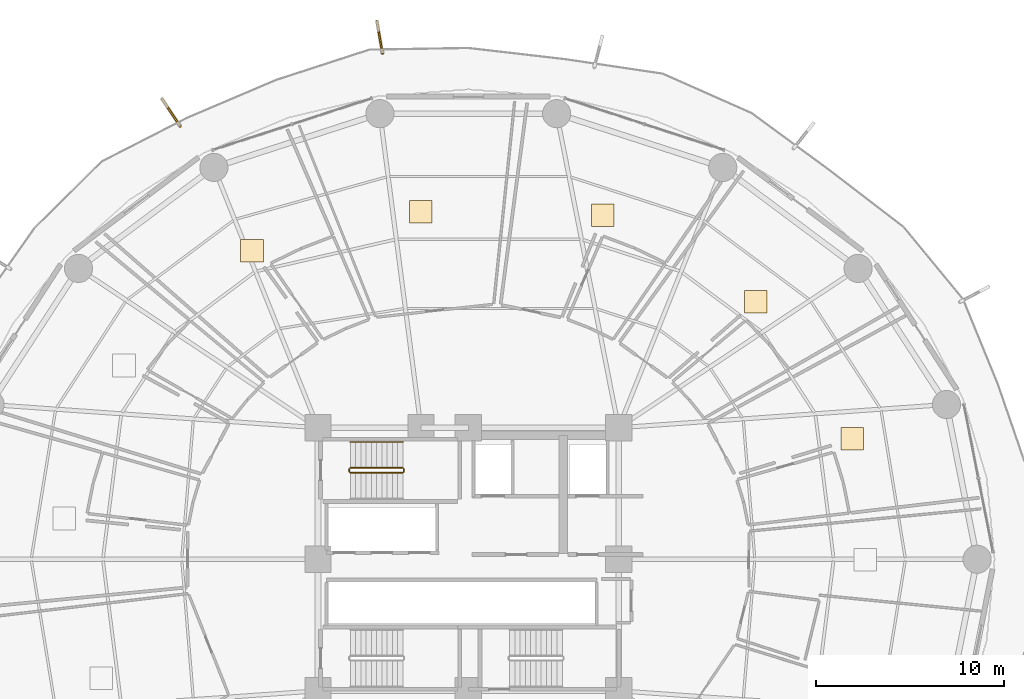
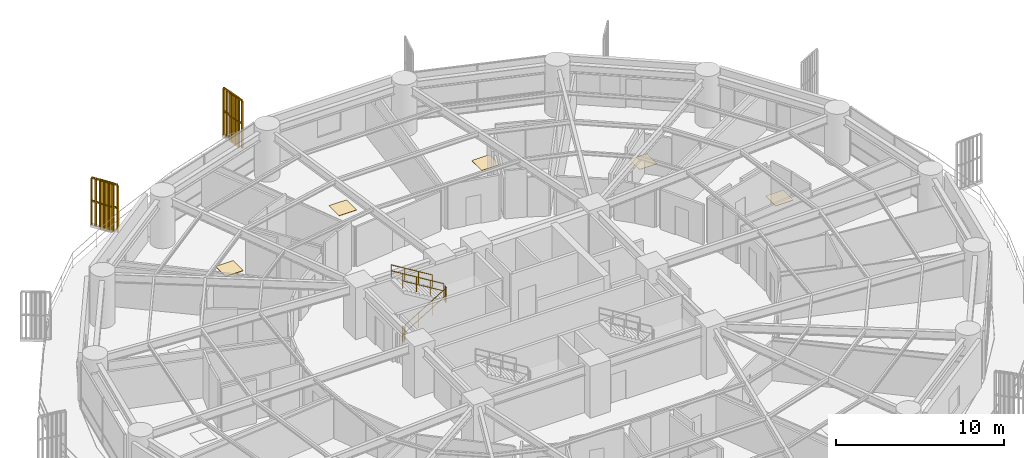
# One storey, part 31 of 32: 7 railings, 5 coverings, 2 shading devices.
"""IFC4 building model written with IfcOpenShell, lengths in metres."""

from ifc_helpers import new_model, si_unit, direction, frame, origin, origin_2d, place, context, subcontext, project, spatial, polyline, rectangle, outline, extrude, source, transform, mapped, material, layer, layer_set, type_object, element, save


model = new_model("IFC4")

# Units and contexts
model_context = context("Model", 3, precision=1e-05, world=origin(), true_north=direction((0.0, 1.0)))
body_context = subcontext(model_context, "Body", "Model", "MODEL_VIEW")
ifc_project = project(units=[si_unit("LENGTHUNIT", "METRE"), si_unit("AREAUNIT", "SQUARE_METRE"), si_unit("VOLUMEUNIT", "CUBIC_METRE"), si_unit("PLANEANGLEUNIT", "RADIAN"), si_unit("MASSUNIT", "GRAM", prefix="KILO")], contexts=[model_context])

# Site, building, storey
site_placement = place(None, origin())
site = spatial("IfcSite", under=ifc_project, at=site_placement, CompositionType="ELEMENT")
building_placement = place(site_placement, origin())
building = spatial("IfcBuilding", under=site, at=building_placement, Name="Kelanora Arch Commons", CompositionType="ELEMENT")
storey_placement = place(building_placement, frame((0.0, 0.0, 52.5)))
storey = spatial("IfcBuildingStorey", under=building, at=storey_placement, Name="L13", CompositionType="ELEMENT", Elevation=52.5)

# Railings
ifc_material_1 = material(Name="Anodised bronze vertical shading fin rib assembly")
railing_type_1 = type_object("IfcRailingType", Name="RAIL-FIN-BRZ", PredefinedType="BALUSTRADE", material=ifc_material_1)
railing_1_placement = place(storey_placement, frame((69.430908203125, 84.919189453125, -0.02001953125)))
element("IfcRailing", 1, at=railing_1_placement, inside=storey, type_object=railing_type_1, Name="Sweeping Bronze Vertical Fin Blade L13-03", PredefinedType="BALUSTRADE", context=body_context, shape_type="SweptSolid", body=[
    extrude(outline(polyline([(0.06982421875, 0.0), (0.034912109375, 0.060546875), (-0.034912109375, 0.060546875), (-0.06982421875, 0.0), (-0.034912109375, -0.060546875), (0.034912109375, -0.060546875), (0.06982421875, 0.0)])), frame((0.0, 0.0, 3.419921875), z_axis=(-0.167236114435, 0.985916873792, 0.0), x_axis=(-0.985916873792, -0.167236114435, 0.0)), (0.0, 0.0, 1.0), 1.72998046875),
    extrude(outline(polyline([(0.06982421875, 0.0), (0.034912109375, 0.060546875), (-0.034912109375, 0.060546875), (-0.06982421875, 0.0), (-0.034912109375, -0.060546875), (0.034912109375, -0.060546875), (0.06982421875, 0.0)])), frame((0.0, 0.0, 1.7451171875), z_axis=(-0.167236114435, 0.985916873792, 0.0), x_axis=(-0.985916873792, -0.167236114435, 0.0)), (0.0, 0.0, 1.0), 1.72998046875),
    extrude(outline(polyline([(0.080078125, 0.0), (0.0400390625, 0.0693359375), (-0.0400390625, 0.0693359375), (-0.080078125, 0.0), (-0.0400390625, -0.0693359375), (0.0400390625, -0.0693359375), (0.080078125, 0.0)])), origin(), (0.0, 0.0, 1.0), 3.35009765625),
    extrude(outline(polyline([(0.080078125, 0.0), (0.0400390625, 0.0693359375), (-0.0400390625, 0.0693359375), (-0.080078125, 0.0), (-0.0400390625, -0.0693359375), (0.0400390625, -0.0693359375), (0.080078125, 0.0)])), frame((-0.04833984375, 0.2841796875, 0.0)), (0.0, 0.0, 1.0), 3.35009765625),
    extrude(outline(polyline([(0.080078125, 0.0), (0.0400390625, 0.0693359375), (-0.0400390625, 0.0693359375), (-0.080078125, 0.0), (-0.0400390625, -0.0693359375), (0.0400390625, -0.0693359375), (0.080078125, 0.0)])), frame((-0.096435546875, 0.568603515625, 0.0)), (0.0, 0.0, 1.0), 3.35009765625),
    extrude(outline(polyline([(0.080078125, 0.0), (0.0400390625, 0.0693359375), (-0.0400390625, 0.0693359375), (-0.080078125, 0.0), (-0.0400390625, -0.0693359375), (0.0400390625, -0.0693359375), (0.080078125, 0.0)])), frame((-0.14453125, 0.852783203125, 0.0)), (0.0, 0.0, 1.0), 3.35009765625),
    extrude(outline(polyline([(0.080078125, 0.0), (0.0400390625, 0.0693359375), (-0.0400390625, 0.0693359375), (-0.080078125, 0.0), (-0.0400390625, -0.0693359375), (0.0400390625, -0.0693359375), (0.080078125, 0.0)])), frame((-0.19287109375, 1.136962890625, 0.0)), (0.0, 0.0, 1.0), 3.35009765625),
    extrude(outline(polyline([(0.080078125, 0.0), (0.0400390625, 0.0693359375), (-0.0400390625, 0.0693359375), (-0.080078125, 0.0), (-0.0400390625, -0.0693359375), (0.0400390625, -0.0693359375), (0.080078125, 0.0)])), frame((-0.2412109375, 1.42138671875, 0.0)), (0.0, 0.0, 1.0), 3.35009765625),
    extrude(outline(polyline([(0.080078125, 0.0), (0.0400390625, 0.0693359375), (-0.0400390625, 0.0693359375), (-0.080078125, 0.0), (-0.0400390625, -0.0693359375), (0.0400390625, -0.0693359375), (0.080078125, 0.0)])), frame((-0.289306640625, 1.70556640625, 0.0)), (0.0, 0.0, 1.0), 3.35009765625),
])
railing_2_placement = place(storey_placement, frame((58.66162109375, 81.057373046875, -0.02001953125)))
element("IfcRailing", 2, at=railing_2_placement, inside=storey, type_object=railing_type_1, Name="Sweeping Bronze Vertical Fin Blade L13-04", PredefinedType="BALUSTRADE", context=body_context, shape_type="SweptSolid", body=[
    extrude(outline(polyline([(0.06982421875, 0.0), (0.034912109375, 0.060546875), (-0.034912109375, 0.060546875), (-0.06982421875, 0.0), (-0.034912109375, -0.060546875), (0.034912109375, -0.060546875), (0.06982421875, 0.0)])), frame((0.0, 0.0, 3.419921875), z_axis=(-0.553885791846, 0.832592655259, 0.0), x_axis=(-0.832592655259, -0.553885791846, 0.0)), (0.0, 0.0, 1.0), 1.72998046875),
    extrude(outline(polyline([(0.06982421875, 0.0), (0.034912109375, 0.060546875), (-0.034912109375, 0.060546875), (-0.06982421875, 0.0), (-0.034912109375, -0.060546875), (0.034912109375, -0.060546875), (0.06982421875, 0.0)])), frame((0.0, 0.0, 1.7451171875), z_axis=(-0.553885791846, 0.832592655259, 0.0), x_axis=(-0.832592655259, -0.553885791846, 0.0)), (0.0, 0.0, 1.0), 1.72998046875),
    extrude(outline(polyline([(0.080078125, 0.0), (0.0400390625, 0.0693359375), (-0.0400390625, 0.0693359375), (-0.080078125, 0.0), (-0.0400390625, -0.0693359375), (0.0400390625, -0.0693359375), (0.080078125, 0.0)])), origin(), (0.0, 0.0, 1.0), 3.35009765625),
    extrude(outline(polyline([(0.080078125, 0.0), (0.0400390625, 0.0693359375), (-0.0400390625, 0.0693359375), (-0.080078125, 0.0), (-0.0400390625, -0.0693359375), (0.0400390625, -0.0693359375), (0.080078125, 0.0)])), frame((-0.15966796875, 0.239990234375, 0.0)), (0.0, 0.0, 1.0), 3.35009765625),
    extrude(outline(polyline([(0.080078125, 0.0), (0.0400390625, 0.0693359375), (-0.0400390625, 0.0693359375), (-0.080078125, 0.0), (-0.0400390625, -0.0693359375), (0.0400390625, -0.0693359375), (0.080078125, 0.0)])), frame((-0.3193359375, 0.480224609375, 0.0)), (0.0, 0.0, 1.0), 3.35009765625),
    extrude(outline(polyline([(0.080078125, 0.0), (0.0400390625, 0.0693359375), (-0.0400390625, 0.0693359375), (-0.080078125, 0.0), (-0.0400390625, -0.0693359375), (0.0400390625, -0.0693359375), (0.080078125, 0.0)])), frame((-0.47900390625, 0.72021484375, 0.0)), (0.0, 0.0, 1.0), 3.35009765625),
    extrude(outline(polyline([(0.080078125, 0.0), (0.0400390625, 0.0693359375), (-0.0400390625, 0.0693359375), (-0.080078125, 0.0), (-0.0400390625, -0.0693359375), (0.0400390625, -0.0693359375), (0.080078125, 0.0)])), frame((-0.638916015625, 0.960205078125, 0.0)), (0.0, 0.0, 1.0), 3.35009765625),
    extrude(outline(polyline([(0.080078125, 0.0), (0.0400390625, 0.0693359375), (-0.0400390625, 0.0693359375), (-0.080078125, 0.0), (-0.0400390625, -0.0693359375), (0.0400390625, -0.0693359375), (0.080078125, 0.0)])), frame((-0.798583984375, 1.200439453125, 0.0)), (0.0, 0.0, 1.0), 3.35009765625),
    extrude(outline(polyline([(0.080078125, 0.0), (0.0400390625, 0.0693359375), (-0.0400390625, 0.0693359375), (-0.080078125, 0.0), (-0.0400390625, -0.0693359375), (0.0400390625, -0.0693359375), (0.080078125, 0.0)])), frame((-0.958251953125, 1.4404296875, 0.0)), (0.0, 0.0, 1.0), 3.35009765625),
])
ifc_material_2 = material(Name="Painted steel stair well guard", Category="steel")
railing_type_2 = type_object("IfcRailingType", Name="RAIL-STAIR-GRD", PredefinedType="GUARDRAIL", material=ifc_material_2)
railing_3_placement = place(storey_placement, frame((67.719970703125, 62.610107421875, 0.17041015625)))
element("IfcRailing", 3, at=railing_3_placement, inside=storey, type_object=railing_type_2, Name="L13 ST-T1 stair guard 1", PredefinedType="GUARDRAIL", context=body_context, shape_type="SweptSolid", body=[
    extrude(outline(polyline([(0.02392578125, 0.0), (0.011962890625, 0.020751953125), (-0.011962890625, 0.020751953125), (-0.02392578125, 0.0), (-0.011962890625, -0.020751953125), (0.011962890625, -0.020751953125), (0.02392578125, 0.0)])), frame((0.0, 0.0, 1.076171875), z_axis=(0.854169791009, 0.0, 0.51999420009), x_axis=(0.0, 1.0, 0.0)), (0.0, 0.0, 1.0), 3.278076171875),
    extrude(outline(polyline([(0.02392578125, 0.0), (0.011962890625, 0.020751953125), (-0.011962890625, 0.020751953125), (-0.02392578125, 0.0), (-0.011962890625, -0.020751953125), (0.011962890625, -0.020751953125), (0.02392578125, 0.0)])), frame((0.0, 0.0, 0.550048828125), z_axis=(0.854169791009, 0.0, 0.51999420009), x_axis=(0.0, 1.0, 0.0)), (0.0, 0.0, 1.0), 3.278076171875),
    extrude(outline(polyline([(0.02099609375, 0.0), (0.010498046875, 0.01806640625), (-0.010498046875, 0.01806640625), (-0.02099609375, 0.0), (-0.010498046875, -0.01806640625), (0.010498046875, -0.01806640625), (0.02099609375, 0.0)])), origin(), (0.0, 0.0, 1.0), 1.052001953125),
    extrude(outline(polyline([(0.02099609375, 0.0), (0.010498046875, 0.01806640625), (-0.010498046875, 0.01806640625), (-0.02099609375, 0.0), (-0.010498046875, -0.01806640625), (0.010498046875, -0.01806640625), (0.02099609375, 0.0)])), frame((0.933349609375, 0.0, 0.568115234375)), (0.0, 0.0, 1.0), 1.052001953125),
    extrude(outline(polyline([(0.02099609375, 0.0), (0.010498046875, 0.01806640625), (-0.010498046875, 0.01806640625), (-0.02099609375, 0.0), (-0.010498046875, -0.01806640625), (0.010498046875, -0.01806640625), (0.02099609375, 0.0)])), frame((1.86669921875, 0.0, 1.136474609375)), (0.0, 0.0, 1.0), 1.052001953125),
    extrude(outline(polyline([(0.02099609375, 0.0), (0.010498046875, 0.01806640625), (-0.010498046875, 0.01806640625), (-0.02099609375, 0.0), (-0.010498046875, -0.01806640625), (0.010498046875, -0.01806640625), (0.02099609375, 0.0)])), frame((2.800048828125, 0.0, 1.70458984375)), (0.0, 0.0, 1.0), 1.052001953125),
])
railing_4_placement = place(storey_placement, frame((70.570068359375, 62.659912109375, 1.875)))
element("IfcRailing", 4, at=railing_4_placement, inside=storey, type_object=railing_type_2, Name="L13 ST-T1 stair guard 2", PredefinedType="GUARDRAIL", context=body_context, shape_type="SweptSolid", body=[
    extrude(outline(polyline([(0.02392578125, 0.0), (0.011962890625, 0.020751953125), (-0.011962890625, 0.020751953125), (-0.02392578125, 0.0), (-0.011962890625, -0.020751953125), (0.011962890625, -0.020751953125), (0.02392578125, 0.0)])), frame((0.0, 0.0, 1.076171875), z_axis=(0.0, 1.0, 0.0), x_axis=(-1.0, 0.0, 0.0)), (0.0, 0.0, 1.0), 0.150146484375),
    extrude(outline(polyline([(0.02392578125, 0.0), (0.011962890625, 0.020751953125), (-0.011962890625, 0.020751953125), (-0.02392578125, 0.0), (-0.011962890625, -0.020751953125), (0.011962890625, -0.020751953125), (0.02392578125, 0.0)])), frame((0.0, 0.0, 0.550048828125), z_axis=(0.0, 1.0, 0.0), x_axis=(-1.0, 0.0, 0.0)), (0.0, 0.0, 1.0), 0.150146484375),
    extrude(outline(polyline([(0.02099609375, 0.0), (0.010498046875, 0.01806640625), (-0.010498046875, 0.01806640625), (-0.02099609375, 0.0), (-0.010498046875, -0.01806640625), (0.010498046875, -0.01806640625), (0.02099609375, 0.0)])), origin(), (0.0, 0.0, 1.0), 1.052001953125),
    extrude(outline(polyline([(0.02099609375, 0.0), (0.010498046875, 0.01806640625), (-0.010498046875, 0.01806640625), (-0.02099609375, 0.0), (-0.010498046875, -0.01806640625), (0.010498046875, -0.01806640625), (0.02099609375, 0.0)])), frame((0.0, 0.150146484375, 0.0)), (0.0, 0.0, 1.0), 1.052001953125),
])
railing_5_placement = place(storey_placement, frame((70.52001953125, 62.860107421875, 2.04541015625)))
element("IfcRailing", 5, at=railing_5_placement, inside=storey, type_object=railing_type_2, Name="L13 ST-T1 stair guard 3", PredefinedType="GUARDRAIL", context=body_context, shape_type="SweptSolid", body=[
    extrude(outline(polyline([(0.02392578125, 0.0), (0.011962890625, 0.020751953125), (-0.011962890625, 0.020751953125), (-0.02392578125, 0.0), (-0.011962890625, -0.020751953125), (0.011962890625, -0.020751953125), (0.02392578125, 0.0)])), frame((0.0, 0.0, 1.076171875), z_axis=(-0.854169791009, 0.0, 0.51999420009), x_axis=(0.0, -1.0, 0.0)), (0.0, 0.0, 1.0), 3.278076171875),
    extrude(outline(polyline([(0.02392578125, 0.0), (0.011962890625, 0.020751953125), (-0.011962890625, 0.020751953125), (-0.02392578125, 0.0), (-0.011962890625, -0.020751953125), (0.011962890625, -0.020751953125), (0.02392578125, 0.0)])), frame((0.0, 0.0, 0.550048828125), z_axis=(-0.854169791009, 0.0, 0.51999420009), x_axis=(0.0, -1.0, 0.0)), (0.0, 0.0, 1.0), 3.278076171875),
    extrude(outline(polyline([(0.02099609375, 0.0), (0.010498046875, 0.01806640625), (-0.010498046875, 0.01806640625), (-0.02099609375, 0.0), (-0.010498046875, -0.01806640625), (0.010498046875, -0.01806640625), (0.02099609375, 0.0)])), origin(), (0.0, 0.0, 1.0), 1.052001953125),
    extrude(outline(polyline([(0.02099609375, 0.0), (0.010498046875, 0.01806640625), (-0.010498046875, 0.01806640625), (-0.02099609375, 0.0), (-0.010498046875, -0.01806640625), (0.010498046875, -0.01806640625), (0.02099609375, 0.0)])), frame((-0.933349609375, 0.0, 0.568115234375)), (0.0, 0.0, 1.0), 1.052001953125),
    extrude(outline(polyline([(0.02099609375, 0.0), (0.010498046875, 0.01806640625), (-0.010498046875, 0.01806640625), (-0.02099609375, 0.0), (-0.010498046875, -0.01806640625), (0.010498046875, -0.01806640625), (0.02099609375, 0.0)])), frame((-1.86669921875, 0.0, 1.136474609375)), (0.0, 0.0, 1.0), 1.052001953125),
    extrude(outline(polyline([(0.02099609375, 0.0), (0.010498046875, 0.01806640625), (-0.010498046875, 0.01806640625), (-0.02099609375, 0.0), (-0.010498046875, -0.01806640625), (0.010498046875, -0.01806640625), (0.02099609375, 0.0)])), frame((-2.800048828125, 0.0, 1.70458984375)), (0.0, 0.0, 1.0), 1.052001953125),
])
railing_6_placement = place(storey_placement, frame((67.669921875, 62.659912109375, 0.0)))
element("IfcRailing", 6, at=railing_6_placement, inside=storey, type_object=railing_type_2, Name="L13 ST-T1 stair guard 4", PredefinedType="GUARDRAIL", context=body_context, shape_type="SweptSolid", body=[
    extrude(outline(polyline([(0.02392578125, 0.0), (0.011962890625, 0.020751953125), (-0.011962890625, 0.020751953125), (-0.02392578125, 0.0), (-0.011962890625, -0.020751953125), (0.011962890625, -0.020751953125), (0.02392578125, 0.0)])), frame((0.0, 0.0, 1.076171875), z_axis=(0.0, 1.0, 0.0), x_axis=(-1.0, 0.0, 0.0)), (0.0, 0.0, 1.0), 0.150146484375),
    extrude(outline(polyline([(0.02392578125, 0.0), (0.011962890625, 0.020751953125), (-0.011962890625, 0.020751953125), (-0.02392578125, 0.0), (-0.011962890625, -0.020751953125), (0.011962890625, -0.020751953125), (0.02392578125, 0.0)])), frame((0.0, 0.0, 0.550048828125), z_axis=(0.0, 1.0, 0.0), x_axis=(-1.0, 0.0, 0.0)), (0.0, 0.0, 1.0), 0.150146484375),
    extrude(outline(polyline([(0.02099609375, 0.0), (0.010498046875, 0.01806640625), (-0.010498046875, 0.01806640625), (-0.02099609375, 0.0), (-0.010498046875, -0.01806640625), (0.010498046875, -0.01806640625), (0.02099609375, 0.0)])), origin(), (0.0, 0.0, 1.0), 1.052001953125),
    extrude(outline(polyline([(0.02099609375, 0.0), (0.010498046875, 0.01806640625), (-0.010498046875, 0.01806640625), (-0.02099609375, 0.0), (-0.010498046875, -0.01806640625), (0.010498046875, -0.01806640625), (0.02099609375, 0.0)])), frame((0.0, 0.150146484375, 0.0)), (0.0, 0.0, 1.0), 1.052001953125),
])
ifc_material_3 = material(Name="Brushed stainless steel stair handrail", Category="steel")
railing_type_3 = type_object("IfcRailingType", Name="RAIL-STAIR-HND", PredefinedType="HANDRAIL", material=ifc_material_3)
railing_7_placement = place(storey_placement, frame((70.52001953125, 64.239990234375, 2.04541015625)))
element("IfcRailing", 7, at=railing_7_placement, inside=storey, type_object=railing_type_3, Name="L13 ST-T1 stair handrail 2", PredefinedType="HANDRAIL", context=body_context, shape_type="SweptSolid", body=[
    extrude(outline(polyline([(0.02392578125, 0.0), (0.011962890625, 0.020751953125), (-0.011962890625, 0.020751953125), (-0.02392578125, 0.0), (-0.011962890625, -0.020751953125), (0.011962890625, -0.020751953125), (0.02392578125, 0.0)])), frame((0.0, 0.0, 0.8759765625), z_axis=(-0.854169791009, 0.0, 0.51999420009), x_axis=(0.0, -1.0, 0.0)), (0.0, 0.0, 1.0), 3.278076171875),
    extrude(outline(polyline([(0.02392578125, 0.0), (0.011962890625, 0.020751953125), (-0.011962890625, 0.020751953125), (-0.02392578125, 0.0), (-0.011962890625, -0.020751953125), (0.011962890625, -0.020751953125), (0.02392578125, 0.0)])), frame((0.0, 0.0, 0.449951171875), z_axis=(-0.854169791009, 0.0, 0.51999420009), x_axis=(0.0, -1.0, 0.0)), (0.0, 0.0, 1.0), 3.278076171875),
    extrude(outline(polyline([(0.02099609375, 0.0), (0.010498046875, 0.01806640625), (-0.010498046875, 0.01806640625), (-0.02099609375, 0.0), (-0.010498046875, -0.01806640625), (0.010498046875, -0.01806640625), (0.02099609375, 0.0)])), origin(), (0.0, 0.0, 1.0), 0.851806640625),
    extrude(outline(polyline([(0.02099609375, 0.0), (0.010498046875, 0.01806640625), (-0.010498046875, 0.01806640625), (-0.02099609375, 0.0), (-0.010498046875, -0.01806640625), (0.010498046875, -0.01806640625), (0.02099609375, 0.0)])), frame((-0.933349609375, 0.0, 0.568115234375)), (0.0, 0.0, 1.0), 0.851806640625),
    extrude(outline(polyline([(0.02099609375, 0.0), (0.010498046875, 0.01806640625), (-0.010498046875, 0.01806640625), (-0.02099609375, 0.0), (-0.010498046875, -0.01806640625), (0.010498046875, -0.01806640625), (0.02099609375, 0.0)])), frame((-1.86669921875, 0.0, 1.136474609375)), (0.0, 0.0, 1.0), 0.851806640625),
    extrude(outline(polyline([(0.02099609375, 0.0), (0.010498046875, 0.01806640625), (-0.010498046875, 0.01806640625), (-0.02099609375, 0.0), (-0.010498046875, -0.01806640625), (0.010498046875, -0.01806640625), (0.02099609375, 0.0)])), frame((-2.800048828125, 0.0, 1.70458984375)), (0.0, 0.0, 1.0), 0.851806640625),
])

# Shading devices
ifc_material_4 = material(Name="Terracotta ceramic-clad extruded aluminium fin", Category="masonry")
shading_device_type = type_object("IfcShadingDeviceType", Name="SHD-FIN-FLARE", PredefinedType="USERDEFINED", material=ifc_material_4)
shared_shape_1 = source(origin(), body_context, "Body", "SweptSolid", [
    extrude(rectangle(XDim=0.8798828125, YDim=0.090087890625, at=origin_2d()), origin(), (0.0, 0.0, 1.0), 3.610107421875),
])
for number, where, z_axis, x_axis, name in (
    (8, (69.310546875, 85.62890625, -0.14013671875), (0.0, 0.0, 1.0), (-0.16728499015, 0.985908582005, 0.0), "Sweeping Terracotta Fin L13-03"),
    (9, (58.2626953125, 81.656982421875, -0.14013671875), (0.0, 0.0, 1.0), (-0.553827589908, 0.832631371411, 0.0), "Sweeping Terracotta Fin L13-04"),
):
    element("IfcShadingDevice", number, at=place(storey_placement, frame(where, z_axis=z_axis, x_axis=x_axis)), inside=storey, type_object=shading_device_type, Name=name, ObjectType="FIN", PredefinedType="USERDEFINED", context=body_context, shape_type="MappedRepresentation", body=[
        mapped(shared_shape_1, transform((0.0, 0.0, 0.0), scale=1.0)),
    ])

# Coverings
ifc_material_5 = material(Name="Polished local granite terrazzo flooring", Category="masonry")
ifc_layer = layer(ifc_material_5, 0.030029296875)
ifc_layer_set = layer_set([ifc_layer], Name="Polished local granite terrazzo flooring")
covering_type = type_object("IfcCoveringType", Name="COV-FLR-TER", PredefinedType="FLOORING", material=ifc_layer_set)
shared_shape_2 = source(origin(), body_context, "Body", "SweptSolid", [
    extrude(rectangle(XDim=1.199951171875, YDim=1.199951171875, at=origin_2d()), origin(), (0.0, 0.0, 1.0), 0.030029296875),
])
for number, where, z_axis, x_axis, name in (
    (10, (94.42822265625, 64.403564453125, 0.0), (0.0, 0.0, 1.0), (1.0, 0.0, 0.0), "Co-Living Studio L13-01 Terrazzo Finish"),
    (11, (89.30517578125, 71.70849609375, 0.0), (0.0, 0.0, 1.0), (1.0, 0.0, 0.0), "Co-Living Studio L13-02 Terrazzo Finish"),
    (12, (81.150390625, 76.2978515625, 0.0), (0.0, 0.0, 1.0), (1.0, 0.0, 0.0), "Co-Living Studio L13-03 Terrazzo Finish"),
    (13, (71.4677734375, 76.48876953125, 0.0), (0.0, 0.0, 1.0), (1.0, 0.0, 0.0), "Communal Dining and Social Hall L13-04 Terrazzo Finish"),
    (14, (62.48828125, 74.413330078125, 0.0), (0.0, 0.0, 1.0), (1.0, 0.0, 0.0), "Co-Living Studio L13-05 Terrazzo Finish"),
):
    element("IfcCovering", number, at=place(storey_placement, frame(where, z_axis=z_axis, x_axis=x_axis)), inside=storey, type_object=covering_type, Name=name, PredefinedType="FLOORING", context=body_context, shape_type="MappedRepresentation", body=[
        mapped(shared_shape_2, transform((0.0, 0.0, 0.0), scale=1.0)),
    ])

save(model, "model.ifc")
